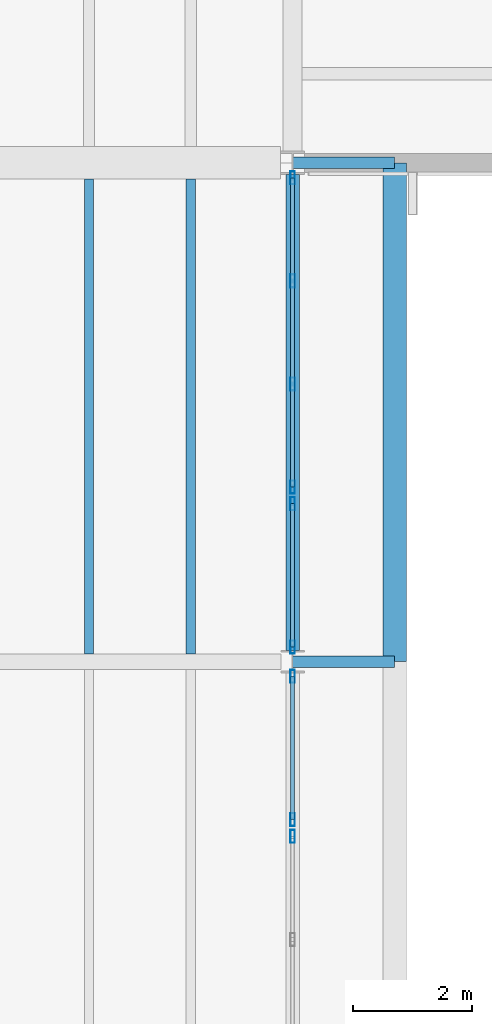
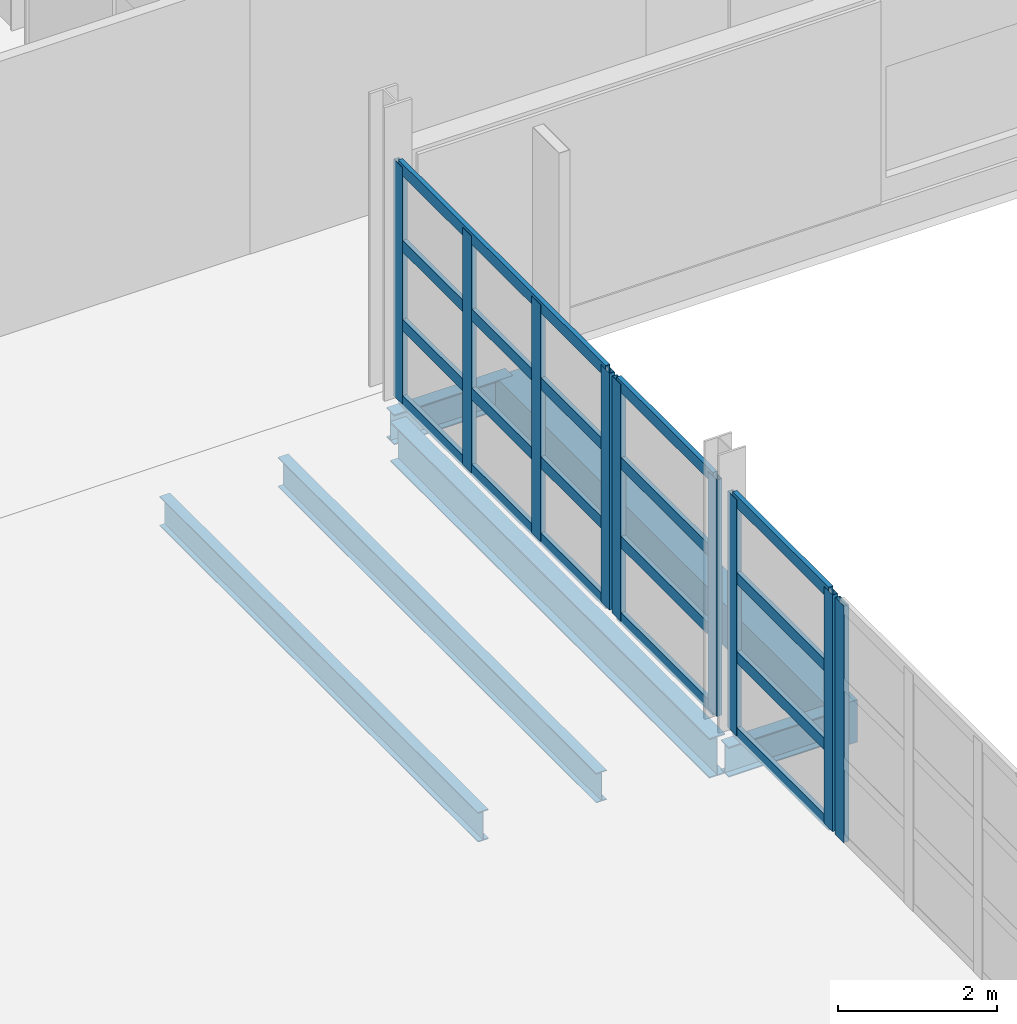
# One storey, part 73 of 114: 21 members, 6 beams, 4 elements without a shape of their own.
"""IFC4 building model written with IfcOpenShell, lengths in metres."""

from ifc_helpers import new_model, si_unit, direction, frame, origin, origin_2d, place, context, subcontext, project, spatial, rectangle, hollow_rectangle, i_section, extrude, material, material_profile, profile_set, type_object, element, aggregate, save


model = new_model("IFC4")

# Units and contexts
model_context = context("Model", 3, precision=1e-05, world=origin(), true_north=direction((0.0, 1.0)))
body_context = subcontext(model_context, "Body", "Model", "MODEL_VIEW")
ifc_project = project(units=[si_unit("LENGTHUNIT", "METRE"), si_unit("AREAUNIT", "SQUARE_METRE"), si_unit("VOLUMEUNIT", "CUBIC_METRE"), si_unit("PLANEANGLEUNIT", "RADIAN"), si_unit("MASSUNIT", "GRAM", prefix="KILO")], contexts=[model_context])

# Site, building, storey
site_placement = place(None, origin())
site = spatial("IfcSite", under=ifc_project, at=site_placement, CompositionType="ELEMENT")
building_placement = place(site_placement, origin())
building = spatial("IfcBuilding", under=site, at=building_placement, Name="Kelmvaro Bay Concert Hall", CompositionType="ELEMENT")
storey_placement = place(building_placement, frame((0.0, 0.0, 4.800048828125)))
storey = spatial("IfcBuildingStorey", under=building, at=storey_placement, Name="L01", CompositionType="ELEMENT", Elevation=4.800048828125)

# Beams
ifc_material_1 = material(Name="Concrete C40/50", Category="concrete")
ifc_material_profile_1 = material_profile(ifc_material_1, rectangle(XDim=0.39990234375, YDim=0.64990234375, at=origin_2d()), Name="RC-BM-400X650")
ifc_profile_set_1 = profile_set([ifc_material_profile_1], Name="Concrete C40/50")
beam_type_1 = type_object("IfcBeamType", Name="Canopy Edge Concrete Beam RC400x650", PredefinedType="BEAM", material=ifc_profile_set_1)
beam_1_placement = place(storey_placement, frame((133.719970703125, 65.39990234375, -0.6650390625), z_axis=(0.0, 1.0, 0.0), x_axis=(-1.0, 0.0, 0.0)))
element("IfcBeam", 1, at=beam_1_placement, inside=storey, type_object=beam_type_1, Name="Storm Eave Fascia Beam EBL-11", PredefinedType="BEAM", context=body_context, shape_type="SweptSolid", body=[
    extrude(rectangle(XDim=0.39990234375, YDim=0.64990234375, at=origin_2d()), origin(), (0.0, 0.0, 1.0), 8.400146484375),
])
ifc_material_2 = material(Name="Steel ASTM A992 Grade 50", Category="steel")
ifc_material_profile_2 = material_profile(ifc_material_2, i_section(OverallWidth=0.19189453125, OverallDepth=0.4619140625, WebThickness=0.010498046875, FlangeThickness=0.017578125, at=origin_2d()), Name="W18X60")
ifc_profile_set_2 = profile_set([ifc_material_profile_2], Name="Steel ASTM A992 Grade 50")
beam_type_2 = type_object("IfcBeamType", Name="Canopy Primary Frame Beam W18x60", PredefinedType="BEAM", material=ifc_profile_set_2)
for number, where, z_axis, x_axis, name in (
    (2, (132.0, 65.39990234375, -0.571044921875), (1.0, 0.0, 0.0), (0.0, 1.0, 0.0), "Storm Eave Cantilever Bracket EBL-13"),
    (3, (132.0, 73.800048828125, -0.571044921875), (1.0, 0.0, 0.0), (0.0, 1.0, 0.0), "Storm Eave Cantilever Bracket EBL-14"),
):
    element("IfcBeam", number, at=place(storey_placement, frame(where, z_axis=z_axis, x_axis=x_axis)), inside=storey, type_object=beam_type_2, Name=name, PredefinedType="BEAM", context=body_context, shape_type="SweptSolid", body=[
        extrude(i_section(OverallWidth=0.19189453125, OverallDepth=0.4619140625, WebThickness=0.010498046875, FlangeThickness=0.017578125, at=origin_2d()), origin(), (0.0, 0.0, 1.0), 1.719970703125),
    ])

# Curtain wall, member
ifc_material_3 = material(Name="Anodised Aluminium and Low-E Insulated Glazing", Category="aluminium")
curtain_wall_type = type_object("IfcCurtainWallType", Name="Mezzanine Concourse Curtain Wall 4100", PredefinedType="USERDEFINED", material=ifc_material_3)
curtain_wall_1_placement = place(storey_placement, origin())
curtain_wall_1 = element("IfcCurtainWall", 4, at=curtain_wall_1_placement, inside=storey, type_object=curtain_wall_type, Name="Unitised Curtain Wall CW-L01-118", ObjectType="UNITISED GLAZING", PredefinedType="USERDEFINED")
ifc_material_4 = material(Name="Anodised Extruded Aluminium 6063-T6", Category="aluminium")
ifc_material_profile_3 = material_profile(ifc_material_4, hollow_rectangle(XDim=0.074951171875, YDim=0.219970703125, WallThickness=0.00439453125, at=origin_2d()), Name="ALU-MUL-220X75")
ifc_profile_set_3 = profile_set([ifc_material_profile_3], Name="Anodised Extruded Aluminium 6063-T6")
member_type_1 = type_object("IfcMemberType", Name="Curtain Mullion Heavy ALU 220x75", PredefinedType="MULLION", material=ifc_profile_set_3)
member_1_placement = place(storey_placement, frame((132.0, 62.4599609375, 0.0), z_axis=(0.0, 0.0, 1.0), x_axis=(1.0, 0.0, 0.0)))
member_1 = element("IfcMember", 5, at=member_1_placement, type_object=member_type_1, Name="CW-L01-118 Mullion 01", PredefinedType="MULLION", context=body_context, shape_type="SweptSolid", body=[
    extrude(hollow_rectangle(XDim=0.074951171875, YDim=0.219970703125, WallThickness=0.00439453125, at=origin_2d()), origin(), (0.0, 0.0, 1.0), 3.6279296875),
])
aggregate(curtain_wall_1, [member_1])

# Curtain wall, members
curtain_wall_2_placement = place(storey_placement, origin())
curtain_wall_2 = element("IfcCurtainWall", 6, at=curtain_wall_2_placement, inside=storey, type_object=curtain_wall_type, Name="Unitised Curtain Wall CW-L01-121", ObjectType="UNITISED GLAZING", PredefinedType="USERDEFINED")
member_2_placement = place(storey_placement, frame((132.0, 68.06005859375, 0.0), z_axis=(0.0, 0.0, 1.0), x_axis=(1.0, 0.0, 0.0)))
member_2 = element("IfcMember", 7, at=member_2_placement, type_object=member_type_1, Name="CW-L01-121 Mullion 01", PredefinedType="MULLION", context=body_context, shape_type="SweptSolid", body=[
    extrude(hollow_rectangle(XDim=0.074951171875, YDim=0.219970703125, WallThickness=0.00439453125, at=origin_2d()), origin(), (0.0, 0.0, 1.0), 3.6279296875),
])
member_3_placement = place(storey_placement, frame((132.0, 65.6455078125, 0.0), z_axis=(0.0, 0.0, 1.0), x_axis=(1.0, 0.0, 0.0)))
member_3 = element("IfcMember", 8, at=member_3_placement, type_object=member_type_1, Name="CW-L01-121 Mullion 02", PredefinedType="MULLION", context=body_context, shape_type="SweptSolid", body=[
    extrude(hollow_rectangle(XDim=0.074951171875, YDim=0.219970703125, WallThickness=0.00439453125, at=origin_2d()), origin(), (0.0, 0.0, 1.0), 3.6279296875),
])

curtain_wall_3_placement = place(storey_placement, origin())
curtain_wall_3 = element("IfcCurtainWall", 9, at=curtain_wall_3_placement, inside=storey, type_object=curtain_wall_type, Name="Unitised Curtain Wall CW-L01-122", ObjectType="UNITISED GLAZING", PredefinedType="USERDEFINED")
member_4_placement = place(storey_placement, frame((132.0, 65.154541015625, 0.0), z_axis=(0.0, 0.0, 1.0), x_axis=(1.0, 0.0, 0.0)))
member_4 = element("IfcMember", 10, at=member_4_placement, type_object=member_type_1, Name="CW-L01-122 Mullion 01", PredefinedType="MULLION", context=body_context, shape_type="SweptSolid", body=[
    extrude(hollow_rectangle(XDim=0.074951171875, YDim=0.219970703125, WallThickness=0.00439453125, at=origin_2d()), origin(), (0.0, 0.0, 1.0), 3.6279296875),
])
member_5_placement = place(storey_placement, frame((132.0, 62.739990234375, 0.0), z_axis=(0.0, 0.0, 1.0), x_axis=(1.0, 0.0, 0.0)))
member_5 = element("IfcMember", 11, at=member_5_placement, type_object=member_type_1, Name="CW-L01-122 Mullion 02", PredefinedType="MULLION", context=body_context, shape_type="SweptSolid", body=[
    extrude(hollow_rectangle(XDim=0.074951171875, YDim=0.219970703125, WallThickness=0.00439453125, at=origin_2d()), origin(), (0.0, 0.0, 1.0), 3.6279296875),
])

curtain_wall_4_placement = place(storey_placement, origin())
curtain_wall_4 = element("IfcCurtainWall", 12, at=curtain_wall_4_placement, inside=storey, type_object=curtain_wall_type, Name="Unitised Curtain Wall CW-L01-124", ObjectType="UNITISED GLAZING", PredefinedType="USERDEFINED")
member_6_placement = place(storey_placement, frame((132.0, 73.54541015625, 0.0), z_axis=(0.0, 0.0, 1.0), x_axis=(1.0, 0.0, 0.0)))
member_6 = element("IfcMember", 13, at=member_6_placement, type_object=member_type_1, Name="CW-L01-124 Mullion 01", PredefinedType="MULLION", context=body_context, shape_type="SweptSolid", body=[
    extrude(hollow_rectangle(XDim=0.074951171875, YDim=0.219970703125, WallThickness=0.00439453125, at=origin_2d()), origin(), (0.0, 0.0, 1.0), 3.6279296875),
])
member_7_placement = place(storey_placement, frame((132.0, 71.810302734375, 0.0), z_axis=(0.0, 0.0, 1.0), x_axis=(1.0, 0.0, 0.0)))
member_7 = element("IfcMember", 14, at=member_7_placement, type_object=member_type_1, Name="CW-L01-124 Mullion 02", PredefinedType="MULLION", context=body_context, shape_type="SweptSolid", body=[
    extrude(hollow_rectangle(XDim=0.074951171875, YDim=0.219970703125, WallThickness=0.00439453125, at=origin_2d()), origin(), (0.0, 0.0, 1.0), 3.6279296875),
])
member_8_placement = place(storey_placement, frame((132.0, 70.0751953125, 0.0), z_axis=(0.0, 0.0, 1.0), x_axis=(1.0, 0.0, 0.0)))
member_8 = element("IfcMember", 15, at=member_8_placement, type_object=member_type_1, Name="CW-L01-124 Mullion 03", PredefinedType="MULLION", context=body_context, shape_type="SweptSolid", body=[
    extrude(hollow_rectangle(XDim=0.074951171875, YDim=0.219970703125, WallThickness=0.00439453125, at=origin_2d()), origin(), (0.0, 0.0, 1.0), 3.6279296875),
])
member_9_placement = place(storey_placement, frame((132.0, 68.340087890625, 0.0), z_axis=(0.0, 0.0, 1.0), x_axis=(1.0, 0.0, 0.0)))
member_9 = element("IfcMember", 16, at=member_9_placement, type_object=member_type_1, Name="CW-L01-124 Mullion 04", PredefinedType="MULLION", context=body_context, shape_type="SweptSolid", body=[
    extrude(hollow_rectangle(XDim=0.074951171875, YDim=0.219970703125, WallThickness=0.00439453125, at=origin_2d()), origin(), (0.0, 0.0, 1.0), 3.6279296875),
])

# Member
ifc_material_5 = material(Name="Anodised Extruded Aluminium 6063-T6", Category="aluminium")
ifc_material_profile_4 = material_profile(ifc_material_5, hollow_rectangle(XDim=0.06494140625, YDim=0.179931640625, WallThickness=0.00439453125, at=origin_2d()), Name="ALU-TRN-180X65")
ifc_profile_set_4 = profile_set([ifc_material_profile_4], Name="Anodised Extruded Aluminium 6063-T6")
member_type_2 = type_object("IfcMemberType", Name="Curtain Transom Heavy ALU 180x65", PredefinedType="USERDEFINED", material=ifc_profile_set_4)
member_10_placement = place(storey_placement, frame((132.0, 68.06005859375, 0.0400390625), z_axis=(0.0, -1.0, 0.0), x_axis=(1.0, 0.0, 0.0)))
member_10 = element("IfcMember", 17, at=member_10_placement, type_object=member_type_2, Name="CW-L01-121 Transom 01", ObjectType="TRANSOM", PredefinedType="USERDEFINED", context=body_context, shape_type="SweptSolid", body=[
    extrude(hollow_rectangle(XDim=0.06494140625, YDim=0.179931640625, WallThickness=0.00439453125, at=origin_2d()), origin(), (0.0, 0.0, 1.0), 2.41455078125),
])

member_11_placement = place(storey_placement, frame((132.0, 68.06005859375, 1.209228515625), z_axis=(0.0, -1.0, 0.0), x_axis=(1.0, 0.0, 0.0)))
member_11 = element("IfcMember", 18, at=member_11_placement, type_object=member_type_2, Name="CW-L01-121 Transom 02", ObjectType="TRANSOM", PredefinedType="USERDEFINED", context=body_context, shape_type="SweptSolid", body=[
    extrude(hollow_rectangle(XDim=0.06494140625, YDim=0.179931640625, WallThickness=0.00439453125, at=origin_2d()), origin(), (0.0, 0.0, 1.0), 2.41455078125),
])

member_12_placement = place(storey_placement, frame((132.0, 68.06005859375, 2.418701171875), z_axis=(0.0, -1.0, 0.0), x_axis=(1.0, 0.0, 0.0)))
member_12 = element("IfcMember", 19, at=member_12_placement, type_object=member_type_2, Name="CW-L01-121 Transom 03", ObjectType="TRANSOM", PredefinedType="USERDEFINED", context=body_context, shape_type="SweptSolid", body=[
    extrude(hollow_rectangle(XDim=0.06494140625, YDim=0.179931640625, WallThickness=0.00439453125, at=origin_2d()), origin(), (0.0, 0.0, 1.0), 2.41455078125),
])

member_13_placement = place(storey_placement, frame((132.0, 68.06005859375, 3.587890625), z_axis=(0.0, -1.0, 0.0), x_axis=(1.0, 0.0, 0.0)))
member_13 = element("IfcMember", 20, at=member_13_placement, type_object=member_type_2, Name="CW-L01-121 Transom 04", ObjectType="TRANSOM", PredefinedType="USERDEFINED", context=body_context, shape_type="SweptSolid", body=[
    extrude(hollow_rectangle(XDim=0.06494140625, YDim=0.179931640625, WallThickness=0.00439453125, at=origin_2d()), origin(), (0.0, 0.0, 1.0), 2.41455078125),
])

aggregate(curtain_wall_2, [member_2, member_3, member_10, member_11, member_12, member_13])

member_14_placement = place(storey_placement, frame((132.0, 65.154541015625, 0.0400390625), z_axis=(0.0, -1.0, 0.0), x_axis=(1.0, 0.0, 0.0)))
member_14 = element("IfcMember", 21, at=member_14_placement, type_object=member_type_2, Name="CW-L01-122 Transom 01", ObjectType="TRANSOM", PredefinedType="USERDEFINED", context=body_context, shape_type="SweptSolid", body=[
    extrude(hollow_rectangle(XDim=0.06494140625, YDim=0.179931640625, WallThickness=0.00439453125, at=origin_2d()), origin(), (0.0, 0.0, 1.0), 2.41455078125),
])

member_15_placement = place(storey_placement, frame((132.0, 65.154541015625, 1.209228515625), z_axis=(0.0, -1.0, 0.0), x_axis=(1.0, 0.0, 0.0)))
member_15 = element("IfcMember", 22, at=member_15_placement, type_object=member_type_2, Name="CW-L01-122 Transom 02", ObjectType="TRANSOM", PredefinedType="USERDEFINED", context=body_context, shape_type="SweptSolid", body=[
    extrude(hollow_rectangle(XDim=0.06494140625, YDim=0.179931640625, WallThickness=0.00439453125, at=origin_2d()), origin(), (0.0, 0.0, 1.0), 2.41455078125),
])

member_16_placement = place(storey_placement, frame((132.0, 65.154541015625, 2.418701171875), z_axis=(0.0, -1.0, 0.0), x_axis=(1.0, 0.0, 0.0)))
member_16 = element("IfcMember", 23, at=member_16_placement, type_object=member_type_2, Name="CW-L01-122 Transom 03", ObjectType="TRANSOM", PredefinedType="USERDEFINED", context=body_context, shape_type="SweptSolid", body=[
    extrude(hollow_rectangle(XDim=0.06494140625, YDim=0.179931640625, WallThickness=0.00439453125, at=origin_2d()), origin(), (0.0, 0.0, 1.0), 2.41455078125),
])

member_17_placement = place(storey_placement, frame((132.0, 65.154541015625, 3.587890625), z_axis=(0.0, -1.0, 0.0), x_axis=(1.0, 0.0, 0.0)))
member_17 = element("IfcMember", 24, at=member_17_placement, type_object=member_type_2, Name="CW-L01-122 Transom 04", ObjectType="TRANSOM", PredefinedType="USERDEFINED", context=body_context, shape_type="SweptSolid", body=[
    extrude(hollow_rectangle(XDim=0.06494140625, YDim=0.179931640625, WallThickness=0.00439453125, at=origin_2d()), origin(), (0.0, 0.0, 1.0), 2.41455078125),
])

aggregate(curtain_wall_3, [member_4, member_5, member_14, member_15, member_16, member_17])

member_18_placement = place(storey_placement, frame((132.0, 73.54541015625, 0.0400390625), z_axis=(0.0, -1.0, 0.0), x_axis=(1.0, 0.0, 0.0)))
member_18 = element("IfcMember", 25, at=member_18_placement, type_object=member_type_2, Name="CW-L01-124 Transom 01", ObjectType="TRANSOM", PredefinedType="USERDEFINED", context=body_context, shape_type="SweptSolid", body=[
    extrude(hollow_rectangle(XDim=0.06494140625, YDim=0.179931640625, WallThickness=0.00439453125, at=origin_2d()), origin(), (0.0, 0.0, 1.0), 5.205322265625),
])

member_19_placement = place(storey_placement, frame((132.0, 73.54541015625, 1.209228515625), z_axis=(0.0, -1.0, 0.0), x_axis=(1.0, 0.0, 0.0)))
member_19 = element("IfcMember", 26, at=member_19_placement, type_object=member_type_2, Name="CW-L01-124 Transom 02", ObjectType="TRANSOM", PredefinedType="USERDEFINED", context=body_context, shape_type="SweptSolid", body=[
    extrude(hollow_rectangle(XDim=0.06494140625, YDim=0.179931640625, WallThickness=0.00439453125, at=origin_2d()), origin(), (0.0, 0.0, 1.0), 5.205322265625),
])

member_20_placement = place(storey_placement, frame((132.0, 73.54541015625, 2.418701171875), z_axis=(0.0, -1.0, 0.0), x_axis=(1.0, 0.0, 0.0)))
member_20 = element("IfcMember", 27, at=member_20_placement, type_object=member_type_2, Name="CW-L01-124 Transom 03", ObjectType="TRANSOM", PredefinedType="USERDEFINED", context=body_context, shape_type="SweptSolid", body=[
    extrude(hollow_rectangle(XDim=0.06494140625, YDim=0.179931640625, WallThickness=0.00439453125, at=origin_2d()), origin(), (0.0, 0.0, 1.0), 5.205322265625),
])

member_21_placement = place(storey_placement, frame((132.0, 73.54541015625, 3.587890625), z_axis=(0.0, -1.0, 0.0), x_axis=(1.0, 0.0, 0.0)))
member_21 = element("IfcMember", 28, at=member_21_placement, type_object=member_type_2, Name="CW-L01-124 Transom 04", ObjectType="TRANSOM", PredefinedType="USERDEFINED", context=body_context, shape_type="SweptSolid", body=[
    extrude(hollow_rectangle(XDim=0.06494140625, YDim=0.179931640625, WallThickness=0.00439453125, at=origin_2d()), origin(), (0.0, 0.0, 1.0), 5.205322265625),
])

aggregate(curtain_wall_4, [member_6, member_7, member_8, member_9, member_18, member_19, member_20, member_21])

# Beams
ifc_material_6 = material(Name="Steel ASTM A992 Grade 50", Category="steel")
ifc_material_profile_5 = material_profile(ifc_material_6, i_section(OverallWidth=0.152099609375, OverallDepth=0.455078125, WebThickness=0.008056640625, FlangeThickness=0.01318359375, at=origin_2d()), Name="W18X40")
ifc_profile_set_5 = profile_set([ifc_material_profile_5], Name="Steel ASTM A992 Grade 50")
beam_type_3 = type_object("IfcBeamType", Name="Foyer Concourse Floor Joist W18x40", PredefinedType="JOIST", material=ifc_profile_set_5)
for number, where, z_axis, x_axis, name in (
    (29, (128.5712890625, 65.528076171875, -0.4775390625), (0.0, 1.0, 0.0), (-1.0, 0.0, 0.0), "L01 Floor Joist JST-L01-0584"),
    (30, (130.28564453125, 65.528076171875, -0.4775390625), (0.0, 1.0, 0.0), (-1.0, 0.0, 0.0), "L01 Floor Joist JST-L01-0585"),
):
    element("IfcBeam", number, at=place(storey_placement, frame(where, z_axis=z_axis, x_axis=x_axis)), inside=storey, type_object=beam_type_3, Name=name, PredefinedType="JOIST", context=body_context, shape_type="SweptSolid", body=[
        extrude(i_section(OverallWidth=0.152099609375, OverallDepth=0.455078125, WebThickness=0.008056640625, FlangeThickness=0.01318359375, at=origin_2d()), origin(), (0.0, 0.0, 1.0), 7.996826171875),
    ])
ifc_material_7 = material(Name="Steel ASTM A992 Grade 50", Category="steel")
ifc_material_profile_6 = material_profile(ifc_material_7, i_section(OverallWidth=0.22900390625, OverallDepth=0.612060546875, WebThickness=0.011962890625, FlangeThickness=0.01953125, at=origin_2d()), Name="W24X84")
ifc_profile_set_6 = profile_set([ifc_material_profile_6], Name="Steel ASTM A992 Grade 50")
beam_type_4 = type_object("IfcBeamType", Name="Terrace Edge Girder W24x84", PredefinedType="BEAM", material=ifc_profile_set_6)
beam_2_placement = place(storey_placement, frame((132.0, 65.590576171875, -0.64599609375), z_axis=(0.0, 1.0, 0.0), x_axis=(-1.0, 0.0, 0.0)))
element("IfcBeam", 31, at=beam_2_placement, inside=storey, type_object=beam_type_4, Name="L01 Girder BM-L01-NS-0199", PredefinedType="BEAM", context=body_context, shape_type="SweptSolid", body=[
    extrude(i_section(OverallWidth=0.22900390625, OverallDepth=0.612060546875, WebThickness=0.011962890625, FlangeThickness=0.01953125, at=origin_2d()), origin(), (0.0, 0.0, 1.0), 8.010009765625),
])

save(model, "model.ifc")
